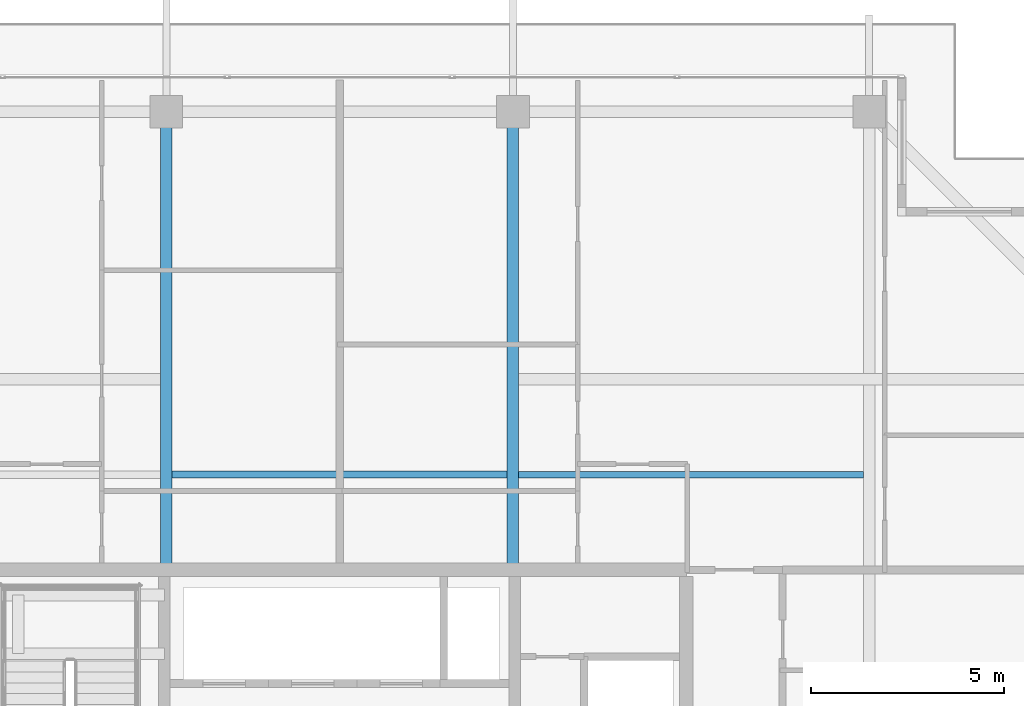
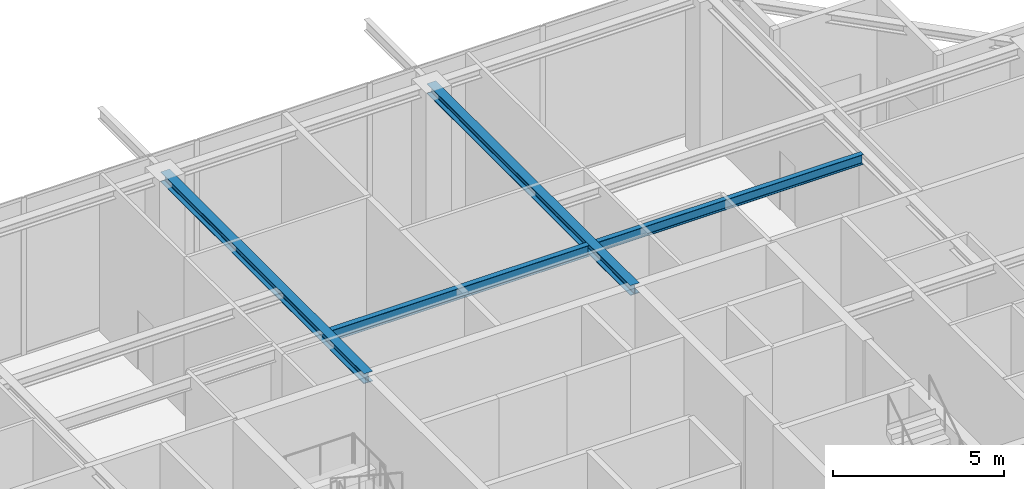
# One storey, part 20 of 38: 4 beams.
"""IFC4 building model written with IfcOpenShell, lengths in metres."""

from ifc_helpers import new_model, si_unit, direction, frame, origin, origin_2d, place, context, subcontext, project, spatial, i_section, extrude, source, transform, mapped, material, material_profile, profile_set, type_object, element, save


model = new_model("IFC4")

# Units and contexts
model_context = context("Model", 3, precision=1e-05, world=origin(), true_north=direction((0.0, 1.0)))
body_context = subcontext(model_context, "Body", "Model", "MODEL_VIEW")
ifc_project = project(units=[si_unit("LENGTHUNIT", "METRE"), si_unit("AREAUNIT", "SQUARE_METRE"), si_unit("VOLUMEUNIT", "CUBIC_METRE"), si_unit("PLANEANGLEUNIT", "RADIAN"), si_unit("MASSUNIT", "GRAM", prefix="KILO")], contexts=[model_context])

# Site, building, storey
site_placement = place(None, origin())
site = spatial("IfcSite", under=ifc_project, at=site_placement, CompositionType="ELEMENT")
building_placement = place(site_placement, origin())
building = spatial("IfcBuilding", under=site, at=building_placement, Name="Serunith Strait Residences", CompositionType="ELEMENT")
storey_placement = place(building_placement, frame((0.0, 0.0, 342.050048828125)))
storey = spatial("IfcBuildingStorey", under=building, at=storey_placement, Name="L85", CompositionType="ELEMENT", Elevation=342.050048828125)

# Beams
ifc_material = material(Name="Steel S355J2", Category="steel")
ifc_material_profile_1 = material_profile(ifc_material, i_section(OverallWidth=0.179931640625, OverallDepth=0.39990234375, WebThickness=0.008544921875, FlangeThickness=0.013427734375, FilletRadius=0.02099609375, at=origin_2d()), Name="IPE 400")
ifc_profile_set_1 = profile_set([ifc_material_profile_1], Name="Steel S355J2")
beam_type_1 = type_object("IfcBeamType", Name="BM-IPE400", PredefinedType="JOIST", material=ifc_profile_set_1)
shared_shape_1 = source(origin(), body_context, "Body", "SweptSolid", [
    extrude(i_section(OverallWidth=0.179931640625, OverallDepth=0.39990234375, WebThickness=0.008544921875, FlangeThickness=0.013427734375, FilletRadius=0.02099609375, at=origin_2d()), origin(), (0.0, 0.0, 1.0), 8.699951171875),
])
beam_1_placement = place(storey_placement, frame((28.050048828125, 36.074951171875, 5.43701171875), z_axis=(1.0, 0.0, 0.0), x_axis=(0.0, 1.0, 0.0)))
element("IfcBeam", 1, at=beam_1_placement, inside=storey, type_object=beam_type_1, Name="L85 Composite Floor Joist 05", PredefinedType="JOIST", context=body_context, shape_type="MappedRepresentation", body=[
    mapped(shared_shape_1, transform((0.0, 0.0, 0.0), scale=1.0)),
])
ifc_material_profile_2 = material_profile(ifc_material, i_section(OverallWidth=0.300048828125, OverallDepth=0.360107421875, WebThickness=0.012451171875, FlangeThickness=0.0224609375, FilletRadius=0.027099609375, at=origin_2d()), Name="HEB 360")
ifc_profile_set_2 = profile_set([ifc_material_profile_2], Name="Steel S355J2")
beam_type_2 = type_object("IfcBeamType", Name="BM-HEB360", PredefinedType="BEAM", material=ifc_profile_set_2)
shared_shape_2 = source(origin(), body_context, "Body", "SweptSolid", [
    extrude(i_section(OverallWidth=0.300048828125, OverallDepth=0.360107421875, WebThickness=0.012451171875, FlangeThickness=0.0224609375, FilletRadius=0.027099609375, at=origin_2d()), origin(), (0.0, 0.0, 1.0), 11.89990234375),
])
for number, where, z_axis, x_axis, name in (
    (2, (27.89990234375, 33.60009765625, 5.45703125), (0.0, 1.0, 0.0), (-1.0, 0.0, 0.0), "L85 Primary Floor Girder TC-N2"),
    (3, (36.89990234375, 33.60009765625, 5.45703125), (0.0, 1.0, 0.0), (-1.0, 0.0, 0.0), "L85 Primary Floor Girder TC-N3"),
):
    element("IfcBeam", number, at=place(storey_placement, frame(where, z_axis=z_axis, x_axis=x_axis)), inside=storey, type_object=beam_type_2, Name=name, PredefinedType="BEAM", context=body_context, shape_type="MappedRepresentation", body=[
        mapped(shared_shape_2, transform((0.0, 0.0, 0.0), scale=1.0)),
    ])
ifc_material_profile_3 = material_profile(ifc_material, i_section(OverallWidth=0.169921875, OverallDepth=0.360107421875, WebThickness=0.008056640625, FlangeThickness=0.0126953125, FilletRadius=0.01806640625, at=origin_2d()), Name="IPE 360")
ifc_profile_set_3 = profile_set([ifc_material_profile_3], Name="Steel S355J2")
beam_type_3 = type_object("IfcBeamType", Name="BM-IPE360", PredefinedType="JOIST", material=ifc_profile_set_3)
shared_shape_3 = source(origin(), body_context, "Body", "SweptSolid", [
    extrude(i_section(OverallWidth=0.169921875, OverallDepth=0.360107421875, WebThickness=0.008056640625, FlangeThickness=0.0126953125, FilletRadius=0.01806640625, at=origin_2d()), origin(), (0.0, 0.0, 1.0), 8.949951171875),
])
beam_2_placement = place(storey_placement, frame((37.050048828125, 36.074951171875, 5.45703125), z_axis=(1.0, 0.0, 0.0), x_axis=(0.0, 1.0, 0.0)))
element("IfcBeam", 4, at=beam_2_placement, inside=storey, type_object=beam_type_3, Name="L85 Composite Floor Joist 06", PredefinedType="JOIST", context=body_context, shape_type="MappedRepresentation", body=[
    mapped(shared_shape_3, transform((0.0, 0.0, 0.0), scale=1.0)),
])

save(model, "model.ifc")
